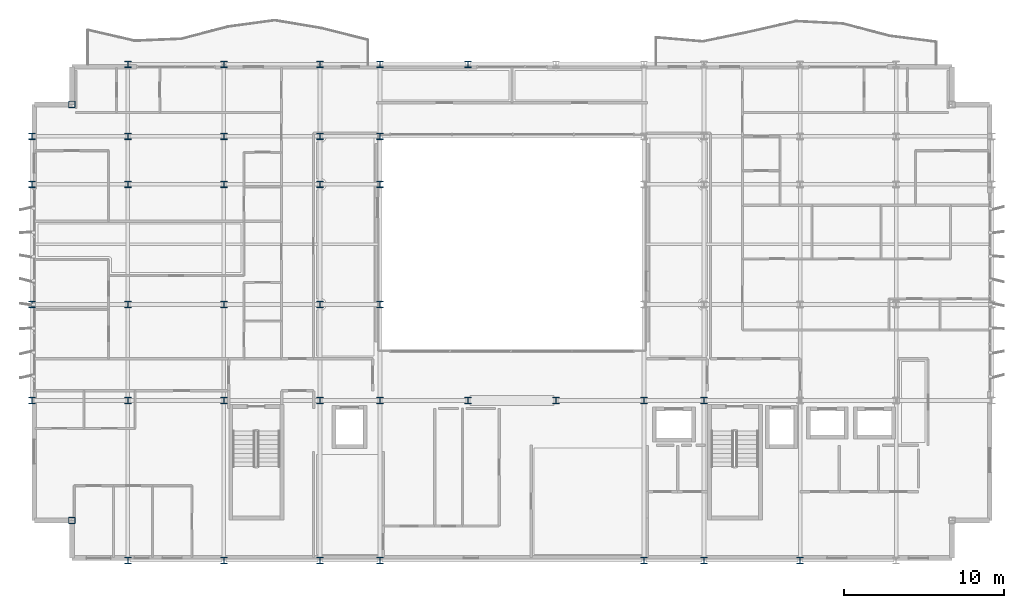
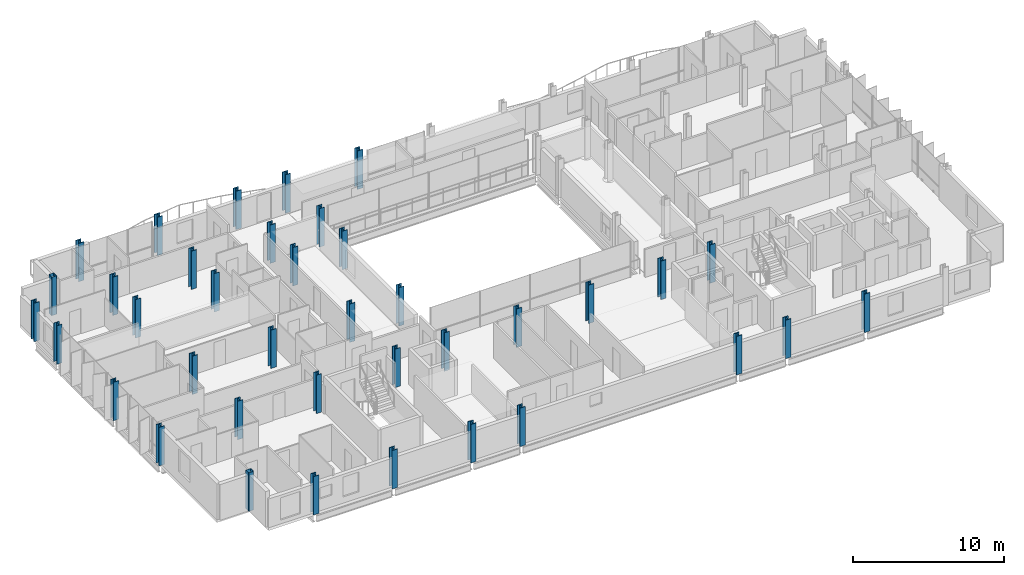
# One storey, part 1 of 40: 38 columns.
"""IFC4 building model written with IfcOpenShell, lengths in metres."""

from ifc_helpers import new_model, si_unit, direction, frame, origin, origin_2d, place, context, subcontext, project, spatial, hollow_rectangle, i_section, extrude, material, material_profile, profile_set, type_object, element, save


model = new_model("IFC4")

# Units and contexts
model_context = context("Model", 3, precision=1e-05, world=origin(), true_north=direction((0.0, 1.0)))
body_context = subcontext(model_context, "Body", "Model", "MODEL_VIEW")
ifc_project = project(units=[si_unit("LENGTHUNIT", "METRE"), si_unit("AREAUNIT", "SQUARE_METRE"), si_unit("VOLUMEUNIT", "CUBIC_METRE"), si_unit("PLANEANGLEUNIT", "RADIAN"), si_unit("MASSUNIT", "GRAM", prefix="KILO")], contexts=[model_context])

# Site, building, storey
site_placement = place(None, origin())
site = spatial("IfcSite", under=ifc_project, at=site_placement, CompositionType="ELEMENT")
building_placement = place(site_placement, origin())
building = spatial("IfcBuilding", under=site, at=building_placement, Name="Brevholm Reach", CompositionType="ELEMENT")
storey_placement = place(building_placement, frame((0.0, 0.0, 160.39990234375)))
storey = spatial("IfcBuildingStorey", under=building, at=storey_placement, Name="L48", CompositionType="ELEMENT", Elevation=160.39990234375)

# Columns
ifc_material_1 = material(Name="Structural Steel S460NH", Category="steel")
ifc_material_profile_1 = material_profile(ifc_material_1, hollow_rectangle(XDim=0.39990234375, YDim=0.39990234375, WallThickness=0.02001953125, InnerFilletRadius=0.011962890625, OuterFilletRadius=0.02392578125, at=origin_2d()), Name="SHS 400x400x20")
ifc_profile_set_1 = profile_set([ifc_material_profile_1], Name="Structural Steel S460NH")
column_type_1 = type_object("IfcColumnType", Name="COL-SHS2", PredefinedType="COLUMN", material=ifc_profile_set_1)
for number, where, z_axis, x_axis, name in (
    (1, (2.5, 2.5, 0.0), (0.0, 0.0, 1.0), (1.0, 0.0, 0.0), "L48 Column 05"),
    (2, (2.5, 28.5, 0.0), (0.0, 0.0, 1.0), (1.0, 0.0, 0.0), "L48 Column 06"),
):
    element("IfcColumn", number, at=place(storey_placement, frame(where, z_axis=z_axis, x_axis=x_axis)), inside=storey, type_object=column_type_1, Name=name, PredefinedType="COLUMN", context=body_context, shape_type="SweptSolid", body=[
        extrude(hollow_rectangle(XDim=0.39990234375, YDim=0.39990234375, WallThickness=0.02001953125, InnerFilletRadius=0.011962890625, OuterFilletRadius=0.02392578125, at=origin_2d()), origin(), (0.0, 0.0, 1.0), 3.10009765625),
    ])
ifc_material_2 = material(Name="Structural Steel S355J2", Category="steel")
ifc_material_profile_2 = material_profile(ifc_material_2, i_section(OverallWidth=0.406982421875, OverallDepth=0.4189453125, WebThickness=0.030517578125, FlangeThickness=0.04931640625, FilletRadius=0.01513671875, at=origin_2d()), Name="UKC 356x406x393")
ifc_profile_set_2 = profile_set([ifc_material_profile_2], Name="Structural Steel S355J2")
column_type_2 = type_object("IfcColumnType", Name="COL-UC4", PredefinedType="COLUMN", material=ifc_profile_set_2)
for number, where, z_axis, x_axis, name in (
    (3, (0.0, 10.0, 0.0), (0.0, 0.0, 1.0), (1.0, 0.0, 0.0), "L48 Column 01"),
    (4, (0.0, 16.0, 0.0), (0.0, 0.0, 1.0), (1.0, 0.0, 0.0), "L48 Column 02"),
    (5, (0.0, 23.5, 0.0), (0.0, 0.0, 1.0), (1.0, 0.0, 0.0), "L48 Column 03"),
    (6, (0.0, 26.5, 0.0), (0.0, 0.0, 1.0), (1.0, 0.0, 0.0), "L48 Column 04"),
    (7, (6.0, 0.0, 0.0), (0.0, 0.0, 1.0), (1.0, 0.0, 0.0), "L48 Column 07"),
    (8, (6.0, 31.0, 0.0), (0.0, 0.0, 1.0), (1.0, 0.0, 0.0), "L48 Column 12"),
    (9, (12.0, 0.0, 0.0), (0.0, 0.0, 1.0), (1.0, 0.0, 0.0), "L48 Column 13"),
    (10, (12.0, 31.0, 0.0), (0.0, 0.0, 1.0), (1.0, 0.0, 0.0), "L48 Column 18"),
    (11, (18.0, 0.0, 0.0), (0.0, 0.0, 1.0), (1.0, 0.0, 0.0), "L48 Column 19"),
    (12, (18.0, 31.0, 0.0), (0.0, 0.0, 1.0), (1.0, 0.0, 0.0), "L48 Column 24"),
    (13, (21.75, 0.0, 0.0), (0.0, 0.0, 1.0), (1.0, 0.0, 0.0), "L48 Column 25"),
    (14, (21.75, 31.0, 0.0), (0.0, 0.0, 1.0), (1.0, 0.0, 0.0), "L48 Column 30"),
    (15, (27.25, 31.0, 0.0), (0.0, 0.0, 1.0), (1.0, 0.0, 0.0), "L48 Column 32"),
    (16, (38.25, 0.0, 0.0), (0.0, 0.0, 1.0), (1.0, 0.0, 0.0), "L48 Column 35"),
    (17, (42.0, 0.0, 0.0), (0.0, 0.0, 1.0), (1.0, 0.0, 0.0), "L48 Column 41"),
    (18, (48.0, 0.0, 0.0), (0.0, 0.0, 1.0), (1.0, 0.0, 0.0), "L48 Column 47"),
):
    element("IfcColumn", number, at=place(storey_placement, frame(where, z_axis=z_axis, x_axis=x_axis)), inside=storey, type_object=column_type_2, Name=name, PredefinedType="COLUMN", context=body_context, shape_type="SweptSolid", body=[
        extrude(i_section(OverallWidth=0.406982421875, OverallDepth=0.4189453125, WebThickness=0.030517578125, FlangeThickness=0.04931640625, FilletRadius=0.01513671875, at=origin_2d()), origin(), (0.0, 0.0, 1.0), 3.10009765625),
    ])
ifc_material_3 = material(Name="Structural Steel S355J2", Category="steel")
ifc_material_profile_3 = material_profile(ifc_material_3, i_section(OverallWidth=0.403076171875, OverallDepth=0.406494140625, WebThickness=0.026611328125, FlangeThickness=0.04296875, FilletRadius=0.01513671875, at=origin_2d()), Name="UKC 356x406x340")
ifc_profile_set_3 = profile_set([ifc_material_profile_3], Name="Structural Steel S355J2")
column_type_3 = type_object("IfcColumnType", Name="COL-UC5", PredefinedType="COLUMN", material=ifc_profile_set_3)
for number, where, z_axis, x_axis, name in (
    (19, (6.0, 10.0, 0.0), (0.0, 0.0, 1.0), (1.0, 0.0, 0.0), "L48 Column 08"),
    (20, (6.0, 16.0, 0.0), (0.0, 0.0, 1.0), (1.0, 0.0, 0.0), "L48 Column 09"),
    (21, (6.0, 23.5, 0.0), (0.0, 0.0, 1.0), (1.0, 0.0, 0.0), "L48 Column 10"),
    (22, (6.0, 26.5, 0.0), (0.0, 0.0, 1.0), (1.0, 0.0, 0.0), "L48 Column 11"),
    (23, (12.0, 10.0, 0.0), (0.0, 0.0, 1.0), (1.0, 0.0, 0.0), "L48 Column 14"),
    (24, (12.0, 16.0, 0.0), (0.0, 0.0, 1.0), (1.0, 0.0, 0.0), "L48 Column 15"),
    (25, (12.0, 23.5, 0.0), (0.0, 0.0, 1.0), (1.0, 0.0, 0.0), "L48 Column 16"),
    (26, (12.0, 26.5, 0.0), (0.0, 0.0, 1.0), (1.0, 0.0, 0.0), "L48 Column 17"),
    (27, (18.0, 10.0, 0.0), (0.0, 0.0, 1.0), (1.0, 0.0, 0.0), "L48 Column 20"),
    (28, (18.0, 16.0, 0.0), (0.0, 0.0, 1.0), (1.0, 0.0, 0.0), "L48 Column 21"),
    (29, (18.0, 23.5, 0.0), (0.0, 0.0, 1.0), (1.0, 0.0, 0.0), "L48 Column 22"),
    (30, (18.0, 26.5, 0.0), (0.0, 0.0, 1.0), (1.0, 0.0, 0.0), "L48 Column 23"),
    (31, (21.75, 10.0, 0.0), (0.0, 0.0, 1.0), (1.0, 0.0, 0.0), "L48 Column 26"),
    (32, (21.75, 16.0, 0.0), (0.0, 0.0, 1.0), (1.0, 0.0, 0.0), "L48 Column 27"),
    (33, (21.75, 23.5, 0.0), (0.0, 0.0, 1.0), (1.0, 0.0, 0.0), "L48 Column 28"),
    (34, (21.75, 26.5, 0.0), (0.0, 0.0, 1.0), (1.0, 0.0, 0.0), "L48 Column 29"),
    (35, (27.25, 10.0, 0.0), (0.0, 0.0, 1.0), (1.0, 0.0, 0.0), "L48 Column 31"),
    (36, (32.75, 10.0, 0.0), (0.0, 0.0, 1.0), (1.0, 0.0, 0.0), "L48 Column 33"),
    (37, (38.25, 10.0, 0.0), (0.0, 0.0, 1.0), (1.0, 0.0, 0.0), "L48 Column 36"),
    (38, (42.0, 10.0, 0.0), (0.0, 0.0, 1.0), (1.0, 0.0, 0.0), "L48 Column 42"),
):
    element("IfcColumn", number, at=place(storey_placement, frame(where, z_axis=z_axis, x_axis=x_axis)), inside=storey, type_object=column_type_3, Name=name, PredefinedType="COLUMN", context=body_context, shape_type="SweptSolid", body=[
        extrude(i_section(OverallWidth=0.403076171875, OverallDepth=0.406494140625, WebThickness=0.026611328125, FlangeThickness=0.04296875, FilletRadius=0.01513671875, at=origin_2d()), origin(), (0.0, 0.0, 1.0), 3.10009765625),
    ])

save(model, "model.ifc")
